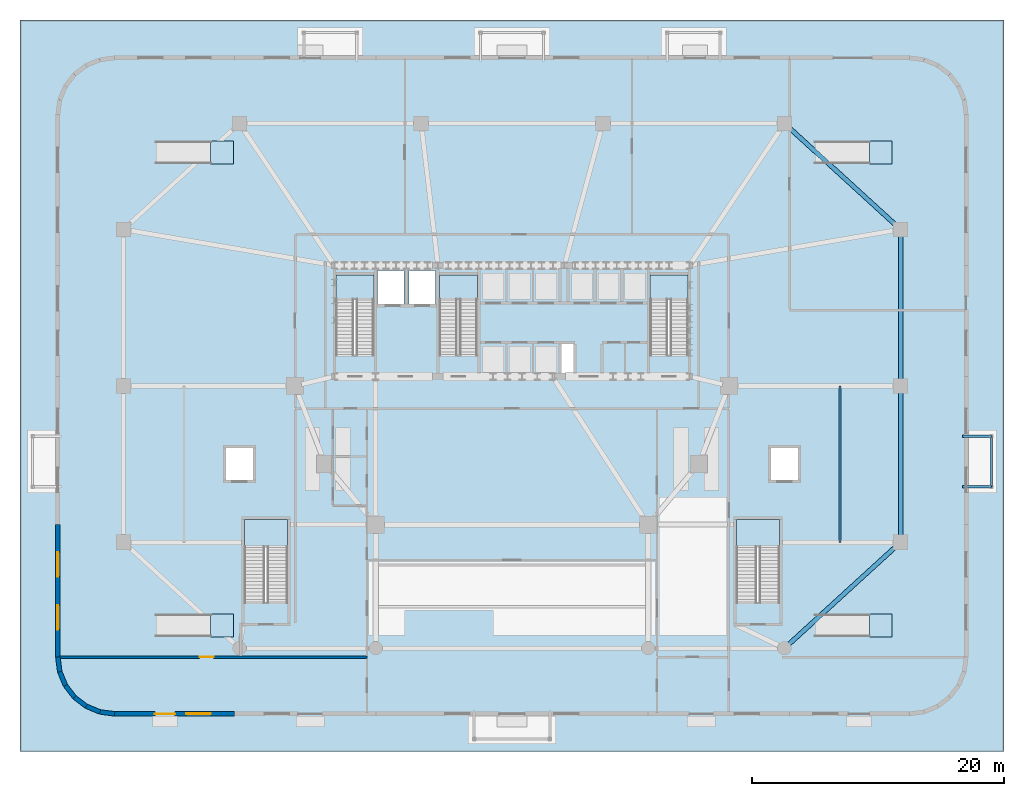
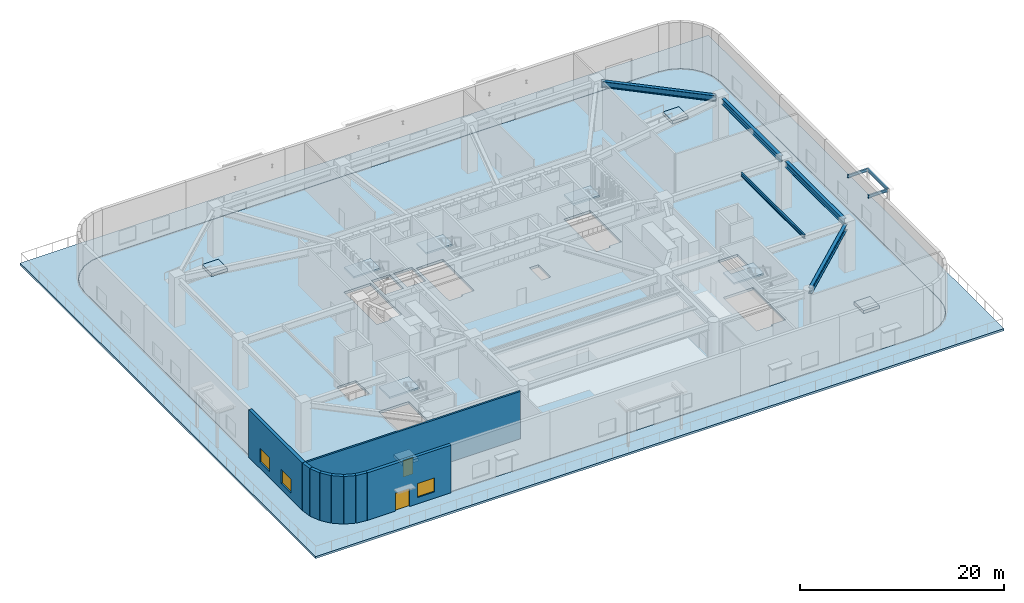
# One storey, part 7 of 21: 11 slabs, 9 walls, 8 beams, 3 windows, 2 doors, 5 openings, 9 elements without a shape of their own.
"""IFC4 building model written with IfcOpenShell, lengths in metres."""

from ifc_helpers import new_model, si_unit, direction, frame, frame_2d, origin, origin_2d, place, context, subcontext, project, spatial, polyline, rectangle, i_section, outline, extrude, material, layer, layer_set, material_profile, profile_set, type_object, element, fill, aggregate, save


model = new_model("IFC4")

# Units and contexts
model_context = context("Model", 3, precision=1e-05, world=origin(), true_north=direction((0.0, 1.0)))
body_context = subcontext(model_context, "Body", "Model", "MODEL_VIEW")
ifc_project = project(units=[si_unit("LENGTHUNIT", "METRE"), si_unit("AREAUNIT", "SQUARE_METRE"), si_unit("VOLUMEUNIT", "CUBIC_METRE"), si_unit("PLANEANGLEUNIT", "RADIAN"), si_unit("MASSUNIT", "GRAM", prefix="KILO")], contexts=[model_context])

# Site, building, storey
site_placement = place(None, origin())
site = spatial("IfcSite", under=ifc_project, at=site_placement, CompositionType="ELEMENT")
building_placement = place(site_placement, origin())
building = spatial("IfcBuilding", under=site, at=building_placement, Name="Haldorwick Loom Tower", CompositionType="ELEMENT")
storey_placement = place(building_placement, origin())
storey = spatial("IfcBuildingStorey", under=building, at=storey_placement, Name="L00", CompositionType="ELEMENT", Elevation=0.0)

# Beams
ifc_material_1 = material(Name="Steel CSA G40.21 350W", Category="steel")
ifc_material_profile_1 = material_profile(ifc_material_1, i_section(OverallWidth=0.172119140625, OverallDepth=0.35791015625, WebThickness=0.0078125, FlangeThickness=0.01318359375, at=origin_2d()), Name="W360X57", Category="steel")
ifc_profile_set_1 = profile_set([ifc_material_profile_1], Name="Steel CSA G40.21 350W")
beam_type_1 = type_object("IfcBeamType", Name="STR-BM-CN360", PredefinedType="BEAM", material=ifc_profile_set_1)
for number, where, z_axis, x_axis, name in (
    (1, (71.699951171875, 18.0, 4.240966796875), (1.0, 0.0, 0.0), (0.0, 1.0, 0.0), "L00 Entrance Canopy Outrigger Beam CN-E1-1"),
    (2, (71.699951171875, 22.0, 4.240966796875), (1.0, 0.0, 0.0), (0.0, 1.0, 0.0), "L00 Entrance Canopy Outrigger Beam CN-E1-2"),
):
    element("IfcBeam", number, at=place(storey_placement, frame(where, z_axis=z_axis, x_axis=x_axis)), inside=storey, type_object=beam_type_1, Name=name, PredefinedType="BEAM", context=body_context, shape_type="SweptSolid", body=[
        extrude(i_section(OverallWidth=0.172119140625, OverallDepth=0.35791015625, WebThickness=0.0078125, FlangeThickness=0.01318359375, at=origin_2d()), origin(), (0.0, 0.0, 1.0), 2.300048828125),
    ])
beam_1_placement = place(storey_placement, frame((74.0, 18.0, 4.240966796875), z_axis=(0.0, 1.0, 0.0), x_axis=(-1.0, 0.0, 0.0)))
element("IfcBeam", 3, at=beam_1_placement, inside=storey, type_object=beam_type_1, Name="L00 Entrance Canopy Front Edge Beam CN-E1", PredefinedType="BEAM", context=body_context, shape_type="SweptSolid", body=[
    extrude(i_section(OverallWidth=0.172119140625, OverallDepth=0.35791015625, WebThickness=0.0078125, FlangeThickness=0.01318359375, at=origin_2d()), origin(), (0.0, 0.0, 1.0), 4.0),
])
ifc_material_profile_2 = material_profile(ifc_material_1, i_section(OverallWidth=0.179931640625, OverallDepth=0.4130859375, WebThickness=0.009765625, FlangeThickness=0.01611328125, at=origin_2d()), Name="W410X74", Category="steel")
ifc_profile_set_2 = profile_set([ifc_material_profile_2], Name="Steel CSA G40.21 350W")
beam_type_2 = type_object("IfcBeamType", Name="STR-BM-J410", PredefinedType="JOIST", material=ifc_profile_set_2)
beam_2_placement = place(storey_placement, frame((62.0, 13.60009765625, 5.493408203125), z_axis=(0.0, 1.0, 0.0), x_axis=(-1.0, 0.0, 0.0)))
element("IfcBeam", 4, at=beam_2_placement, inside=storey, type_object=beam_type_2, Name="L00 Podium Secondary Joist PJ-E1", PredefinedType="JOIST", context=body_context, shape_type="SweptSolid", body=[
    extrude(i_section(OverallWidth=0.179931640625, OverallDepth=0.4130859375, WebThickness=0.009765625, FlangeThickness=0.01611328125, at=origin_2d()), origin(), (0.0, 0.0, 1.0), 12.39990234375),
])
ifc_material_profile_3 = material_profile(ifc_material_1, i_section(OverallWidth=0.35498046875, OverallDepth=0.695068359375, WebThickness=0.015380859375, FlangeThickness=0.02490234375, at=origin_2d()), Name="W690X217", Category="steel")
ifc_profile_set_3 = profile_set([ifc_material_profile_3], Name="Steel CSA G40.21 350W")
beam_type_3 = type_object("IfcBeamType", Name="STR-BM-SP690", PredefinedType="SPANDREL", material=ifc_profile_set_3)
beam_3_placement = place(storey_placement, frame((57.95458984375, 5.523681640625, 5.3525390625), z_axis=(0.738482735745, 0.674272384876, 0.0), x_axis=(-0.674272384876, 0.738482735745, 0.0)))
element("IfcBeam", 5, at=beam_3_placement, inside=storey, type_object=beam_type_3, Name="L00 Podium Spandrel PSP-S5", PredefinedType="SPANDREL", context=body_context, shape_type="SweptSolid", body=[
    extrude(i_section(OverallWidth=0.35498046875, OverallDepth=0.695068359375, WebThickness=0.015380859375, FlangeThickness=0.02490234375, at=origin_2d()), origin(), (0.0, 0.0, 1.0), 11.497802734375),
])
for number, where, z_axis, x_axis, name in (
    (6, (66.800048828125, 14.080078125, 5.3525390625), (0.0, 1.0, 0.0), (-1.0, 0.0, 0.0), "L00 Podium Spandrel PSP-E1"),
    (7, (66.800048828125, 26.47998046875, 5.3525390625), (0.0, 1.0, 0.0), (-1.0, 0.0, 0.0), "L00 Podium Spandrel PSP-E2"),
):
    element("IfcBeam", number, at=place(storey_placement, frame(where, z_axis=z_axis, x_axis=x_axis)), inside=storey, type_object=beam_type_3, Name=name, PredefinedType="SPANDREL", context=body_context, shape_type="SweptSolid", body=[
        extrude(i_section(OverallWidth=0.35498046875, OverallDepth=0.695068359375, WebThickness=0.015380859375, FlangeThickness=0.02490234375, at=origin_2d()), origin(), (0.0, 0.0, 1.0), 11.43994140625),
    ])
beam_4_placement = place(storey_placement, frame((66.445556640625, 38.7236328125, 5.3525390625), z_axis=(-0.738482735745, 0.674272384876, 0.0), x_axis=(-0.674272384876, -0.738482735745, 0.0)))
element("IfcBeam", 8, at=beam_4_placement, inside=storey, type_object=beam_type_3, Name="L00 Podium Spandrel PSP-E3", PredefinedType="SPANDREL", context=body_context, shape_type="SweptSolid", body=[
    extrude(i_section(OverallWidth=0.35498046875, OverallDepth=0.695068359375, WebThickness=0.015380859375, FlangeThickness=0.02490234375, at=origin_2d()), origin(), (0.0, 0.0, 1.0), 11.497802734375),
])

# Slabs
ifc_material_2 = material(Name="Concrete C40 (40 MPa)", Category="concrete")
ifc_layer_1 = layer(ifc_material_2, 0.300048828125, Name="Concrete C40 (40 MPa)", Category="concrete")
ifc_layer_set_1 = layer_set([ifc_layer_1], Name="Concrete C40 (40 MPa)")
slab_type_1 = type_object("IfcSlabType", Name="STR-SLB-CONC300", PredefinedType="FLOOR", material=ifc_layer_set_1)
slab_1_placement = place(storey_placement, frame((0.0, 0.0, -0.300048828125)))
element("IfcSlab", 9, at=slab_1_placement, inside=storey, type_object=slab_type_1, Name="L00 Structural Floor Slab", PredefinedType="FLOOR", context=body_context, shape_type="SweptSolid", body=[
    extrude(outline(polyline([(1.318115234375, 1.318115234375), (2.25, 0.602783203125), (3.335205078125, 0.1533203125), (4.5, 0.0), (67.5, 0.0), (68.664794921875, 0.1533203125), (69.75, 0.602783203125), (70.681884765625, 1.318115234375), (71.397216796875, 2.25), (71.8466796875, 3.335205078125), (72.0, 4.5), (72.0, 47.5), (71.8466796875, 48.664794921875), (71.397216796875, 49.75), (70.681884765625, 50.681884765625), (69.75, 51.397216796875), (68.664794921875, 51.8466796875), (67.5, 52.0), (4.5, 52.0), (3.335205078125, 51.8466796875), (2.25, 51.397216796875), (1.318115234375, 50.681884765625), (0.602783203125, 49.75), (0.1533203125, 48.664794921875), (0.0, 47.5), (0.0, 4.5), (0.1533203125, 3.335205078125), (0.602783203125, 2.25), (1.318115234375, 1.318115234375)]), holes=[polyline([(18.199951171875, 9.0400390625), (16.570068359375, 9.0400390625), (16.570068359375, 8.800048828125), (14.800048828125, 8.800048828125), (14.800048828125, 15.39990234375), (18.199951171875, 15.39990234375), (18.199951171875, 9.0400390625)]), polyline([(57.199951171875, 15.39990234375), (57.199951171875, 9.0400390625), (55.570068359375, 9.0400390625), (55.570068359375, 8.800048828125), (53.800048828125, 8.800048828125), (53.800048828125, 15.39990234375), (57.199951171875, 15.39990234375)]), polyline([(15.5, 21.10009765625), (15.5, 18.5), (13.300048828125, 18.5), (13.300048828125, 21.10009765625), (15.5, 21.10009765625)]), polyline([(58.699951171875, 18.5), (56.5, 18.5), (56.5, 21.10009765625), (58.699951171875, 21.10009765625), (58.699951171875, 18.5)]), polyline([(40.89990234375, 26.89990234375), (39.89990234375, 26.89990234375), (39.89990234375, 29.300048828125), (40.89990234375, 29.300048828125), (40.89990234375, 26.89990234375)]), polyline([(25.050048828125, 34.800048828125), (25.050048828125, 28.639892578125), (23.6201171875, 28.639892578125), (23.6201171875, 28.39990234375), (22.050048828125, 28.39990234375), (22.050048828125, 34.800048828125), (25.050048828125, 34.800048828125)]), polyline([(33.25, 34.800048828125), (33.25, 28.639892578125), (31.820068359375, 28.639892578125), (31.820068359375, 28.39990234375), (30.25, 28.39990234375), (30.25, 34.800048828125), (33.25, 34.800048828125)]), polyline([(49.949951171875, 34.800048828125), (49.949951171875, 28.639892578125), (48.52001953125, 28.639892578125), (48.52001953125, 28.39990234375), (46.949951171875, 28.39990234375), (46.949951171875, 34.800048828125), (49.949951171875, 34.800048828125)]), polyline([(27.449951171875, 32.449951171875), (25.35009765625, 32.449951171875), (25.35009765625, 35.14990234375), (27.449951171875, 35.14990234375), (27.449951171875, 32.449951171875)]), polyline([(29.949951171875, 32.449951171875), (27.85009765625, 32.449951171875), (27.85009765625, 35.14990234375), (29.949951171875, 35.14990234375), (29.949951171875, 32.449951171875)])]), origin(), (0.0, 0.0, 1.0), 0.300048828125),
])
slab_2_placement = place(storey_placement, frame((0.0, 0.0, -0.25)))
element("IfcSlab", 10, at=slab_2_placement, inside=storey, type_object=slab_type_1, Name="L00 Entrance Threshold Base Slab", PredefinedType="BASESLAB", context=body_context, shape_type="SweptSolid", body=[
    extrude(outline(polyline([(-3.0, -3.0), (75.0, -3.0), (75.0, 55.0), (-3.0, 55.0), (-3.0, -3.0)]), holes=[polyline([(67.5, -0.02001953125), (4.5, -0.02001953125), (4.497314453125, -0.019775390625), (3.332763671875, 0.133544921875), (3.3310546875, 0.1337890625), (3.329345703125, 0.13427734375), (3.32763671875, 0.134765625), (2.2421875, 0.58447265625), (2.24072265625, 0.585205078125), (2.2392578125, 0.5859375), (2.23779296875, 0.5869140625), (1.305908203125, 1.302001953125), (1.304443359375, 1.30322265625), (1.30322265625, 1.304443359375), (1.302001953125, 1.305908203125), (0.5869140625, 2.23779296875), (0.5859375, 2.2392578125), (0.585205078125, 2.24072265625), (0.58447265625, 2.2421875), (0.134765625, 3.32763671875), (0.13427734375, 3.329345703125), (0.1337890625, 3.3310546875), (0.133544921875, 3.332763671875), (-0.019775390625, 4.497314453125), (-0.02001953125, 4.5), (-0.02001953125, 47.5), (-0.019775390625, 47.502685546875), (0.133544921875, 48.667236328125), (0.1337890625, 48.6689453125), (0.13427734375, 48.670654296875), (0.134765625, 48.67236328125), (0.58447265625, 49.7578125), (0.585205078125, 49.75927734375), (0.5859375, 49.7607421875), (0.5869140625, 49.76220703125), (1.302001953125, 50.694091796875), (1.30322265625, 50.695556640625), (1.304443359375, 50.69677734375), (1.305908203125, 50.697998046875), (2.23779296875, 51.4130859375), (2.2392578125, 51.4140625), (2.24072265625, 51.414794921875), (2.2421875, 51.41552734375), (3.32763671875, 51.865234375), (3.329345703125, 51.86572265625), (3.3310546875, 51.8662109375), (3.332763671875, 51.866455078125), (4.497314453125, 52.019775390625), (4.5, 52.02001953125), (67.5, 52.02001953125), (67.502685546875, 52.019775390625), (68.667236328125, 51.866455078125), (68.6689453125, 51.8662109375), (68.670654296875, 51.86572265625), (68.67236328125, 51.865234375), (69.7578125, 51.41552734375), (69.75927734375, 51.414794921875), (69.7607421875, 51.4140625), (69.76220703125, 51.4130859375), (70.694091796875, 50.697998046875), (70.695556640625, 50.69677734375), (70.69677734375, 50.695556640625), (70.697998046875, 50.694091796875), (71.4130859375, 49.76220703125), (71.4140625, 49.7607421875), (71.414794921875, 49.75927734375), (71.41552734375, 49.7578125), (71.865234375, 48.67236328125), (71.86572265625, 48.670654296875), (71.8662109375, 48.6689453125), (71.866455078125, 48.667236328125), (72.019775390625, 47.502685546875), (72.02001953125, 47.5), (72.02001953125, 4.5), (72.019775390625, 4.497314453125), (71.866455078125, 3.332763671875), (71.8662109375, 3.3310546875), (71.86572265625, 3.329345703125), (71.865234375, 3.32763671875), (71.41552734375, 2.2421875), (71.414794921875, 2.24072265625), (71.4140625, 2.2392578125), (71.4130859375, 2.23779296875), (70.697998046875, 1.305908203125), (70.69677734375, 1.304443359375), (70.695556640625, 1.30322265625), (70.694091796875, 1.302001953125), (69.76220703125, 0.5869140625), (69.7607421875, 0.5859375), (69.75927734375, 0.585205078125), (69.7578125, 0.58447265625), (68.67236328125, 0.134765625), (68.670654296875, 0.13427734375), (68.6689453125, 0.1337890625), (68.667236328125, 0.133544921875), (67.502685546875, -0.019775390625), (67.5, -0.02001953125)])]), origin(), (0.0, 0.0, 1.0), 0.25),
])

# Stair, slab
stair_type_1 = type_object("IfcStairType", Name="STR-STR-CORE", PredefinedType="HALF_TURN_STAIR", material=ifc_material_2)
stair_1_placement = place(storey_placement, origin())
stair_1 = element("IfcStair", 11, at=stair_1_placement, inside=storey, type_object=stair_type_1, Name="L00 Exit Stair ST-01", PredefinedType="HALF_TURN_STAIR")
ifc_layer_2 = layer(ifc_material_2, 0.199951171875, Name="Concrete C40 (40 MPa)", Category="concrete")
ifc_layer_set_2 = layer_set([ifc_layer_2], Name="Concrete C40 (40 MPa)")
slab_type_2 = type_object("IfcSlabType", Name="STR-SLB-LAND200", PredefinedType="LANDING", material=ifc_layer_set_2)
slab_3_placement = place(storey_placement, frame((0.0, 0.0, 2.800048828125)))
slab_3 = element("IfcSlab", 12, at=slab_3_placement, type_object=slab_type_2, Name="ST-01 landing 1", PredefinedType="LANDING", context=body_context, shape_type="SweptSolid", body=[
    extrude(outline(polyline([(25.050048828125, 32.8798828125), (25.050048828125, 34.800048828125), (22.050048828125, 34.800048828125), (22.050048828125, 32.8798828125), (25.050048828125, 32.8798828125)])), origin(), (0.0, 0.0, 1.0), 0.199951171875),
])
aggregate(stair_1, [slab_3])

stair_2_placement = place(storey_placement, origin())
stair_2 = element("IfcStair", 13, at=stair_2_placement, inside=storey, type_object=stair_type_1, Name="L00 Exit Stair ST-02", PredefinedType="HALF_TURN_STAIR")
slab_4_placement = place(storey_placement, frame((0.0, 0.0, 2.800048828125)))
slab_4 = element("IfcSlab", 14, at=slab_4_placement, type_object=slab_type_2, Name="ST-02 landing 1", PredefinedType="LANDING", context=body_context, shape_type="SweptSolid", body=[
    extrude(outline(polyline([(49.949951171875, 32.8798828125), (49.949951171875, 34.800048828125), (46.949951171875, 34.800048828125), (46.949951171875, 32.8798828125), (49.949951171875, 32.8798828125)])), origin(), (0.0, 0.0, 1.0), 0.199951171875),
])
aggregate(stair_2, [slab_4])

stair_3_placement = place(storey_placement, origin())
stair_3 = element("IfcStair", 15, at=stair_3_placement, inside=storey, type_object=stair_type_1, Name="L00 Exit Stair ST-03", PredefinedType="HALF_TURN_STAIR")
slab_5_placement = place(storey_placement, frame((0.0, 0.0, 2.800048828125)))
slab_5 = element("IfcSlab", 16, at=slab_5_placement, type_object=slab_type_2, Name="ST-03 landing 1", PredefinedType="LANDING", context=body_context, shape_type="SweptSolid", body=[
    extrude(outline(polyline([(33.25, 32.8798828125), (33.25, 34.800048828125), (30.25, 34.800048828125), (30.25, 32.8798828125), (33.25, 32.8798828125)])), origin(), (0.0, 0.0, 1.0), 0.199951171875),
])
aggregate(stair_3, [slab_5])

stair_type_2 = type_object("IfcStairType", Name="STR-STR-POD", PredefinedType="HALF_TURN_STAIR", material=ifc_material_2)
stair_4_placement = place(storey_placement, origin())
stair_4 = element("IfcStair", 17, at=stair_4_placement, inside=storey, type_object=stair_type_2, Name="L00 Exit Stair ST-P1", PredefinedType="HALF_TURN_STAIR")
slab_6_placement = place(storey_placement, frame((0.0, 0.0, 2.800048828125)))
slab_6 = element("IfcSlab", 18, at=slab_6_placement, type_object=slab_type_2, Name="ST-P1 landing 1", PredefinedType="LANDING", context=body_context, shape_type="SweptSolid", body=[
    extrude(outline(polyline([(18.199951171875, 13.280029296875), (18.199951171875, 15.39990234375), (14.800048828125, 15.39990234375), (14.800048828125, 13.280029296875), (18.199951171875, 13.280029296875)])), origin(), (0.0, 0.0, 1.0), 0.199951171875),
])
aggregate(stair_4, [slab_6])

stair_5_placement = place(storey_placement, origin())
stair_5 = element("IfcStair", 19, at=stair_5_placement, inside=storey, type_object=stair_type_2, Name="L00 Exit Stair ST-P2", PredefinedType="HALF_TURN_STAIR")
slab_7_placement = place(storey_placement, frame((0.0, 0.0, 2.800048828125)))
slab_7 = element("IfcSlab", 20, at=slab_7_placement, type_object=slab_type_2, Name="ST-P2 landing 1", PredefinedType="LANDING", context=body_context, shape_type="SweptSolid", body=[
    extrude(outline(polyline([(57.199951171875, 13.280029296875), (57.199951171875, 15.39990234375), (53.800048828125, 15.39990234375), (53.800048828125, 13.280029296875), (57.199951171875, 13.280029296875)])), origin(), (0.0, 0.0, 1.0), 0.199951171875),
])
aggregate(stair_5, [slab_7])

# Ramp, slab
ramp_type = type_object("IfcRampType", Name="STR-RMP-CONC", PredefinedType="STRAIGHT_RUN_RAMP", material=ifc_material_2)
ramp_1_placement = place(storey_placement, origin())
ramp_1 = element("IfcRamp", 21, at=ramp_1_placement, inside=storey, type_object=ramp_type, Name="L00 Accessible Concierge Ramp RMP-01", PredefinedType="STRAIGHT_RUN_RAMP")
slab_8_placement = place(storey_placement, origin())
slab_8 = element("IfcSlab", 22, at=slab_8_placement, type_object=slab_type_2, Name="RMP-01 Top Arrival Landing", PredefinedType="LANDING", context=body_context, shape_type="SweptSolid", body=[
    extrude(outline(polyline([(12.1201171875, 6.10009765625), (13.919921875, 6.10009765625), (13.919921875, 7.89990234375), (12.1201171875, 7.89990234375), (12.1201171875, 6.10009765625)])), origin(), (0.0, 0.0, 1.0), 0.360107421875),
])
aggregate(ramp_1, [slab_8])

ramp_2_placement = place(storey_placement, origin())
ramp_2 = element("IfcRamp", 23, at=ramp_2_placement, inside=storey, type_object=ramp_type, Name="L00 Accessible Concierge Ramp RMP-02", PredefinedType="STRAIGHT_RUN_RAMP")
slab_9_placement = place(storey_placement, origin())
slab_9 = element("IfcSlab", 24, at=slab_9_placement, type_object=slab_type_2, Name="RMP-02 Top Arrival Landing", PredefinedType="LANDING", context=body_context, shape_type="SweptSolid", body=[
    extrude(outline(polyline([(64.320068359375, 6.10009765625), (66.1201171875, 6.10009765625), (66.1201171875, 7.89990234375), (64.320068359375, 7.89990234375), (64.320068359375, 6.10009765625)])), origin(), (0.0, 0.0, 1.0), 0.360107421875),
])
aggregate(ramp_2, [slab_9])

ramp_3_placement = place(storey_placement, origin())
ramp_3 = element("IfcRamp", 25, at=ramp_3_placement, inside=storey, type_object=ramp_type, Name="L00 Accessible Concierge Ramp RMP-03", PredefinedType="STRAIGHT_RUN_RAMP")
slab_10_placement = place(storey_placement, origin())
slab_10 = element("IfcSlab", 26, at=slab_10_placement, type_object=slab_type_2, Name="RMP-03 Top Arrival Landing", PredefinedType="LANDING", context=body_context, shape_type="SweptSolid", body=[
    extrude(outline(polyline([(12.1201171875, 43.60009765625), (13.919921875, 43.60009765625), (13.919921875, 45.39990234375), (12.1201171875, 45.39990234375), (12.1201171875, 43.60009765625)])), origin(), (0.0, 0.0, 1.0), 0.360107421875),
])
aggregate(ramp_3, [slab_10])

ramp_4_placement = place(storey_placement, origin())
ramp_4 = element("IfcRamp", 27, at=ramp_4_placement, inside=storey, type_object=ramp_type, Name="L00 Accessible Concierge Ramp RMP-04", PredefinedType="STRAIGHT_RUN_RAMP")
slab_11_placement = place(storey_placement, origin())
slab_11 = element("IfcSlab", 28, at=slab_11_placement, type_object=slab_type_2, Name="RMP-04 Top Arrival Landing", PredefinedType="LANDING", context=body_context, shape_type="SweptSolid", body=[
    extrude(outline(polyline([(64.320068359375, 43.60009765625), (66.1201171875, 43.60009765625), (66.1201171875, 45.39990234375), (64.320068359375, 45.39990234375), (64.320068359375, 43.60009765625)])), origin(), (0.0, 0.0, 1.0), 0.360107421875),
])
aggregate(ramp_4, [slab_11])

# Wall, openings, windows
ifc_material_3 = material(Name="Pressed Clay Face Brick and Insulated Masonry Backup Assembly", Category="masonry")
ifc_layer_3 = layer(ifc_material_3, 0.360107421875, Name="Pressed Clay Face Brick and Insulated Masonry Backup Assembly", Category="masonry")
ifc_layer_set_3 = layer_set([ifc_layer_3], Name="Pressed Clay Face Brick and Insulated Masonry Backup Assembly")
wall_type_1 = type_object("IfcWallType", Name="ARC-WL-EXT360", PredefinedType="STANDARD", material=ifc_layer_set_3)
wall_1_placement = place(storey_placement, frame((0.0, 15.0, 0.0), z_axis=(0.0, 0.0, 1.0), x_axis=(0.0, -1.0, 0.0)))
wall_1 = element("IfcWall", 29, at=wall_1_placement, inside=storey, type_object=wall_type_1, Name="L00 Brick Pier and Spandrel Wall 31", PredefinedType="STANDARD", context=body_context, shape_type="SweptSolid", body=[
    extrude(rectangle(XDim=10.5, YDim=0.360107421875, at=frame_2d((5.25, 0.0))), origin(), (0.0, 0.0, 1.0), 5.699951171875),
])
opening_1_placement = place(wall_1_placement, frame((2.175048828125, 0.0, 0.75)))
opening_1 = element("IfcOpeningElement", 30, at=opening_1_placement, cuts=wall_1, Name="Opening W-04B", PredefinedType="OPENING", context=body_context, shape_type="SweptSolid", body=[
    extrude(rectangle(XDim=1.949951171875, YDim=1.679931640625, at=frame_2d((0.97509765625, 0.83984375))), frame((0.0, 0.18994140625, 0.0), z_axis=(0.0, -1.0, 0.0), x_axis=(1.0, 0.0, 0.0)), (0.0, 0.0, 1.0), 0.380126953125),
])
opening_2_placement = place(wall_1_placement, frame((6.375, 0.0, 0.75)))
opening_2 = element("IfcOpeningElement", 31, at=opening_2_placement, cuts=wall_1, Name="Opening W-04B", PredefinedType="OPENING", context=body_context, shape_type="SweptSolid", body=[
    extrude(rectangle(XDim=1.949951171875, YDim=1.679931640625, at=frame_2d((0.97509765625, 0.83984375))), frame((0.0, 0.18994140625, 0.0), z_axis=(0.0, -1.0, 0.0), x_axis=(1.0, 0.0, 0.0)), (0.0, 0.0, 1.0), 0.380126953125),
])
ifc_material_4 = material(Name="Triple-Glazed Low-E Argon Insulated Glazing Unit", Category="glass")
window_type = type_object("IfcWindowType", Name="ARC-WIN-W195", PartitioningType="SINGLE_PANEL", PredefinedType="WINDOW", material=ifc_material_4)
window_1_placement = place(opening_1_placement, origin())
window_1 = element("IfcWindow", 32, at=window_1_placement, inside=storey, type_object=window_type, Name="L00 Deep-Set Zone 7A Window 31", OverallHeight=1.679931640625, OverallWidth=1.949951171875, PartitioningType="SINGLE_PANEL", PredefinedType="WINDOW", context=body_context, shape_type="SweptSolid", body=[
    extrude(rectangle(XDim=1.949951171875, YDim=1.679931640625, at=frame_2d((0.97509765625, 0.83984375))), frame((0.0, 0.030029296875, 0.0), z_axis=(0.0, -1.0, 0.0), x_axis=(1.0, 0.0, 0.0)), (0.0, 0.0, 1.0), 0.06005859375),
])
fill(opening_1, window_1)
window_2_placement = place(opening_2_placement, origin())
window_2 = element("IfcWindow", 33, at=window_2_placement, inside=storey, type_object=window_type, Name="L00 Deep-Set Zone 7A Window 31", OverallHeight=1.679931640625, OverallWidth=1.949951171875, PartitioningType="SINGLE_PANEL", PredefinedType="WINDOW", context=body_context, shape_type="SweptSolid", body=[
    extrude(rectangle(XDim=1.949951171875, YDim=1.679931640625, at=frame_2d((0.97509765625, 0.83984375))), frame((0.0, 0.030029296875, 0.0), z_axis=(0.0, -1.0, 0.0), x_axis=(1.0, 0.0, 0.0)), (0.0, 0.0, 1.0), 0.06005859375),
])
fill(opening_2, window_2)

# Walls
wall_2_placement = place(storey_placement, frame((0.0, 4.5, 0.0), z_axis=(0.0, 0.0, 1.0), x_axis=(0.130502892298, -0.991447928588, 0.0)))
element("IfcWall", 34, at=wall_2_placement, inside=storey, type_object=wall_type_1, Name="L00 Brick Pier and Spandrel Wall 32", PredefinedType="STANDARD", context=body_context, shape_type="SweptSolid", body=[
    extrude(rectangle(XDim=1.1748046875, YDim=0.360107421875, at=frame_2d((0.58740234375, 0.0))), origin(), (0.0, 0.0, 1.0), 5.699951171875),
])
wall_3_placement = place(storey_placement, frame((0.1533203125, 3.335205078125, 0.0), z_axis=(0.0, 0.0, 1.0), x_axis=(0.382651625058, -0.923892706888, 0.0)))
element("IfcWall", 35, at=wall_3_placement, inside=storey, type_object=wall_type_1, Name="L00 Brick Pier and Spandrel Wall 33", PredefinedType="STANDARD", context=body_context, shape_type="SweptSolid", body=[
    extrude(rectangle(XDim=1.174560546875, YDim=0.360107421875, at=frame_2d((0.58740234375, 0.0))), origin(), (0.0, 0.0, 1.0), 5.699951171875),
])
for number, where, z_axis, x_axis, name in (
    (36, (0.602783203125, 2.25, 0.0), (0.0, 0.0, 1.0), (0.60890698735, -0.79324162823, 0.0), "L00 Brick Pier and Spandrel Wall 34"),
    (37, (1.318115234375, 1.318115234375, 0.0), (0.0, 0.0, 1.0), (0.79324162823, -0.60890698735, 0.0), "L00 Brick Pier and Spandrel Wall 35"),
):
    element("IfcWall", number, at=place(storey_placement, frame(where, z_axis=z_axis, x_axis=x_axis)), inside=storey, type_object=wall_type_1, Name=name, PredefinedType="STANDARD", context=body_context, shape_type="SweptSolid", body=[
        extrude(rectangle(XDim=1.1748046875, YDim=0.360107421875, at=frame_2d((0.58740234375, 0.0))), origin(), (0.0, 0.0, 1.0), 5.699951171875),
    ])
wall_4_placement = place(storey_placement, frame((2.25, 0.602783203125, 0.0), z_axis=(0.0, 0.0, 1.0), x_axis=(0.923892706888, -0.382651625058, 0.0)))
element("IfcWall", 38, at=wall_4_placement, inside=storey, type_object=wall_type_1, Name="L00 Brick Pier and Spandrel Wall 36", PredefinedType="STANDARD", context=body_context, shape_type="SweptSolid", body=[
    extrude(rectangle(XDim=1.174560546875, YDim=0.360107421875, at=frame_2d((0.58740234375, 0.0))), origin(), (0.0, 0.0, 1.0), 5.699951171875),
])
wall_5_placement = place(storey_placement, frame((3.335205078125, 0.1533203125, 0.0), z_axis=(0.0, 0.0, 1.0), x_axis=(0.991447928588, -0.130502892298, 0.0)))
element("IfcWall", 39, at=wall_5_placement, inside=storey, type_object=wall_type_1, Name="L00 Brick Pier and Spandrel Wall 37", PredefinedType="STANDARD", context=body_context, shape_type="SweptSolid", body=[
    extrude(rectangle(XDim=1.1748046875, YDim=0.360107421875, at=frame_2d((0.58740234375, 0.0))), origin(), (0.0, 0.0, 1.0), 5.699951171875),
])

# Wall, openings, door, window
wall_6_placement = place(storey_placement, frame((4.5, 0.0, 0.0), z_axis=(0.0, 0.0, 1.0), x_axis=(1.0, 0.0, 0.0)))
wall_6 = element("IfcWall", 40, at=wall_6_placement, inside=storey, type_object=wall_type_1, Name="L00 Brick Pier and Spandrel Wall 38", PredefinedType="STANDARD", context=body_context, shape_type="SweptSolid", body=[
    extrude(rectangle(XDim=9.5, YDim=0.360107421875, at=frame_2d((4.75, 0.0))), origin(), (0.0, 0.0, 1.0), 5.699951171875),
])
opening_3_placement = place(wall_6_placement, frame((3.199951171875, 0.0, 0.0)))
opening_3 = element("IfcOpeningElement", 41, at=opening_3_placement, cuts=wall_6, Name="Opening D-EX16", PredefinedType="OPENING", context=body_context, shape_type="SweptSolid", body=[
    extrude(rectangle(XDim=1.60009765625, YDim=2.14990234375, at=frame_2d((0.800048828125, 1.074951171875))), frame((0.0, 0.18994140625, 0.0), z_axis=(0.0, -1.0, 0.0), x_axis=(1.0, 0.0, 0.0)), (0.0, 0.0, 1.0), 0.380126953125),
])
opening_4_placement = place(wall_6_placement, frame((5.675048828125, 0.0, 0.75)))
opening_4 = element("IfcOpeningElement", 42, at=opening_4_placement, cuts=wall_6, Name="Opening W-04B", PredefinedType="OPENING", context=body_context, shape_type="SweptSolid", body=[
    extrude(rectangle(XDim=1.949951171875, YDim=1.679931640625, at=frame_2d((0.97509765625, 0.83984375))), frame((0.0, 0.18994140625, 0.0), z_axis=(0.0, -1.0, 0.0), x_axis=(1.0, 0.0, 0.0)), (0.0, 0.0, 1.0), 0.380126953125),
])
ifc_material_5 = material(Name="Thermally Broken Anodized Aluminium Curtain Wall Framing", Category="aluminium")
door_type_1 = type_object("IfcDoorType", Name="ARC-DR-EXT-DBL", OperationType="DOUBLE_DOOR_SINGLE_SWING", PredefinedType="DOOR", material=ifc_material_5)
door_1_placement = place(opening_3_placement, frame((1.60009765625, 0.0, 0.0), z_axis=(0.0, 0.0, 1.0), x_axis=(-1.0, 0.0, 0.0)))
door_1 = element("IfcDoor", 43, at=door_1_placement, inside=storey, type_object=door_type_1, Name="L00 Grade Exit Door EX-04", OperationType="SINGLE_SWING_LEFT", OverallHeight=2.14990234375, OverallWidth=1.60009765625, PredefinedType="DOOR", context=body_context, shape_type="SweptSolid", body=[
    extrude(rectangle(XDim=1.60009765625, YDim=2.14990234375, at=frame_2d((0.800048828125, 1.074951171875))), frame((0.0, 0.02490234375, 0.0), z_axis=(0.0, -1.0, 0.0), x_axis=(1.0, 0.0, 0.0)), (0.0, 0.0, 1.0), 0.050048828125),
])
fill(opening_3, door_1)
window_3_placement = place(opening_4_placement, origin())
window_3 = element("IfcWindow", 44, at=window_3_placement, inside=storey, type_object=window_type, Name="L00 Deep-Set Zone 7A Window 38", OverallHeight=1.679931640625, OverallWidth=1.949951171875, PartitioningType="SINGLE_PANEL", PredefinedType="WINDOW", context=body_context, shape_type="SweptSolid", body=[
    extrude(rectangle(XDim=1.949951171875, YDim=1.679931640625, at=frame_2d((0.97509765625, 0.83984375))), frame((0.0, 0.030029296875, 0.0), z_axis=(0.0, -1.0, 0.0), x_axis=(1.0, 0.0, 0.0)), (0.0, 0.0, 1.0), 0.06005859375),
])
fill(opening_4, window_3)

# Wall, opening, door
ifc_material_6 = material(Name="Fire-Rated Type X Gypsum Stud Assembly EI 120")
ifc_layer_4 = layer(ifc_material_6, 0.199951171875, Name="Fire-Rated Type X Gypsum Stud Assembly EI 120")
ifc_layer_set_4 = layer_set([ifc_layer_4], Name="Fire-Rated Type X Gypsum Stud Assembly EI 120")
wall_type_2 = type_object("IfcWallType", Name="ARC-WL-FIRE200", PredefinedType="PARTITIONING", material=ifc_layer_set_4)
wall_7_placement = place(storey_placement, frame((0.100830078125, 4.5, 0.0), z_axis=(0.0, 0.0, 1.0), x_axis=(1.0, 0.0, 0.0)))
wall_7 = element("IfcWall", 45, at=wall_7_placement, inside=storey, type_object=wall_type_2, Name="L00 Podium Partition L00-EPSW", PredefinedType="PARTITIONING", context=body_context, shape_type="SweptSolid", body=[
    extrude(rectangle(XDim=24.399169921875, YDim=0.199951171875, at=frame_2d((12.19970703125, 0.0))), origin(), (0.0, 0.0, 1.0), 5.68505859375),
])
opening_5_placement = place(wall_7_placement, frame((11.1396484375, 0.0, 0.0)))
opening_5 = element("IfcOpeningElement", 46, at=opening_5_placement, cuts=wall_7, Name="Opening D-FD90", PredefinedType="OPENING", context=body_context, shape_type="SweptSolid", body=[
    extrude(rectangle(XDim=1.10009765625, YDim=2.0, at=frame_2d((0.550048828125, 1.0))), frame((0.0, 0.10986328125, 0.0), z_axis=(0.0, -1.0, 0.0), x_axis=(1.0, 0.0, 0.0)), (0.0, 0.0, 1.0), 0.219970703125),
])
ifc_material_7 = material(Name="Hollow Steel Fire Door Assembly", Category="steel")
door_type_2 = type_object("IfcDoorType", Name="ARC-DR-FD90", OperationType="NOTDEFINED", PredefinedType="DOOR", material=ifc_material_7)
door_2_placement = place(opening_5_placement, origin())
door_2 = element("IfcDoor", 47, at=door_2_placement, inside=storey, type_object=door_type_2, Name="L00 West Stair Exit Vestibule to West Podium Exit Passageway Door", OperationType="SINGLE_SWING_LEFT", OverallHeight=2.0, OverallWidth=1.10009765625, PredefinedType="DOOR", context=body_context, shape_type="SweptSolid", body=[
    extrude(rectangle(XDim=1.10009765625, YDim=2.0, at=frame_2d((0.550048828125, 1.0))), frame((0.0, 0.02490234375, 0.0), z_axis=(0.0, -1.0, 0.0), x_axis=(1.0, 0.0, 0.0)), (0.0, 0.0, 1.0), 0.050048828125),
])
fill(opening_5, door_2)

save(model, "model.ifc")
